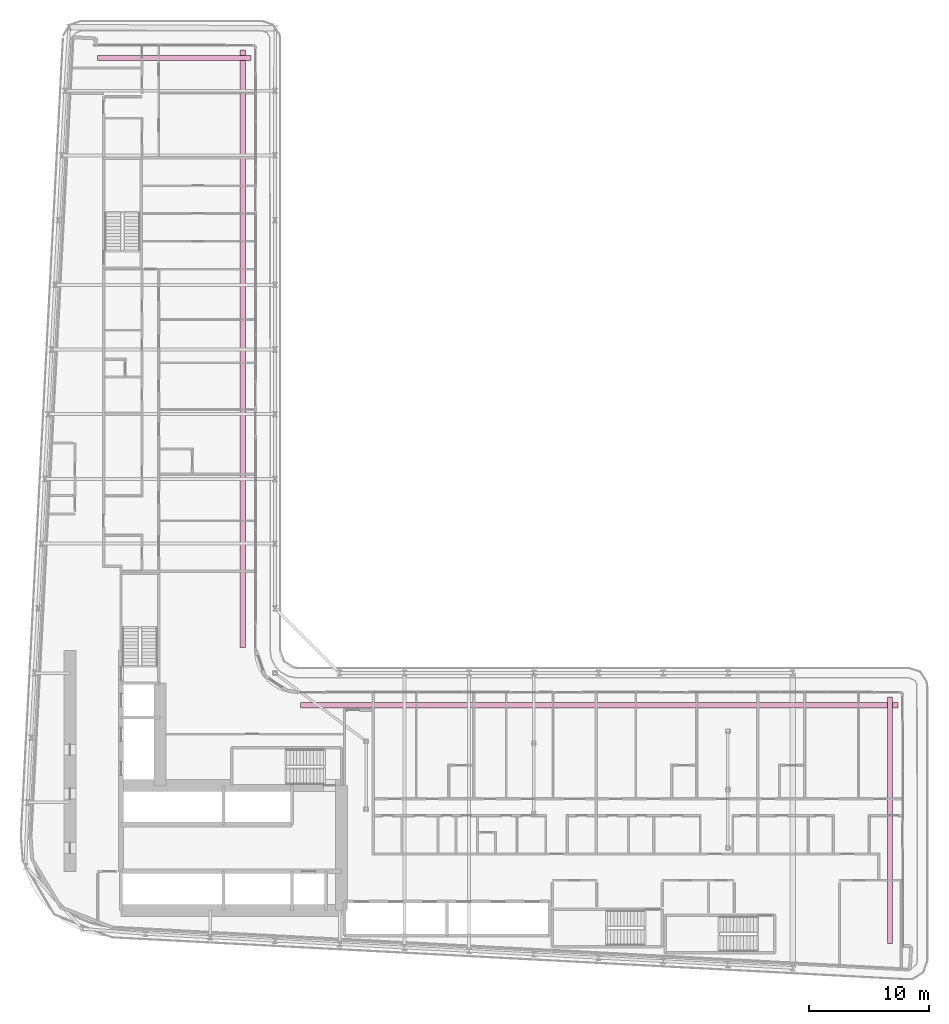
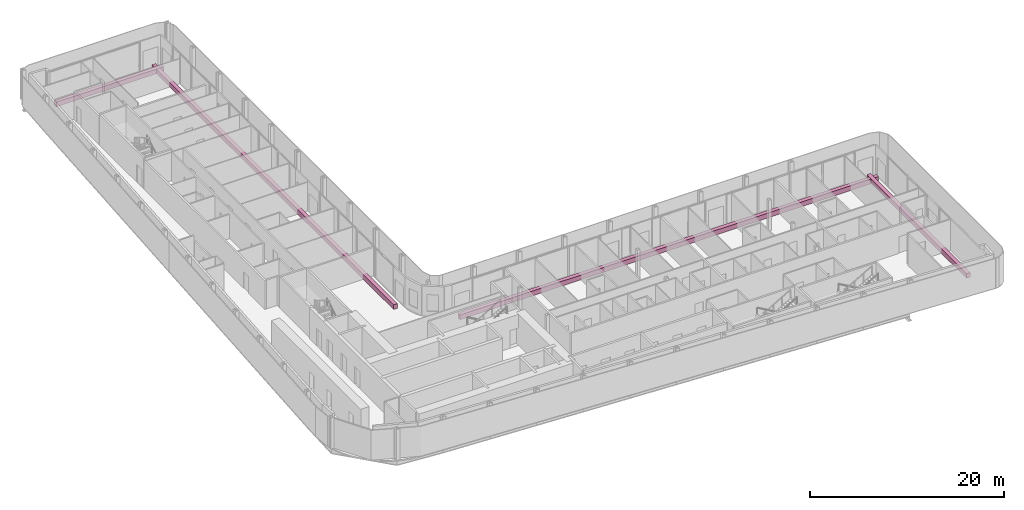
# One storey, part 29 of 29: 4 furniture elements.
"""IFC4 building model written with IfcOpenShell, lengths in metres."""

import ifcopenshell
import ifcopenshell.guid

model = None  # the IFC model being written
_history = None  # IfcOwnerHistory: only IFC2X3 demands one
_inside = {}  # id of a spatial element -> (the spatial element, [elements in it])
_under = {}  # id of a project, library or spatial element -> (it, [spatial elements below it])
_declared = {}  # id of a project -> (the project, [libraries it declares])
_typed = {}  # id of a type object -> (the type object, [elements of that type])
_made_of = {}  # id of a material, layer set ... -> (it, [elements and type objects made of it])


def new_model(schema):
    """Start an empty IFC model of exactly this schema.

    Asked for "IFC4X3", IfcOpenShell would pick the latest addendum, in which some entities
    have other attributes; the version numbers below select the first issue.
    IFC2X3 requires an IfcOwnerHistory on every rooted entity: one is made here for all.
    """
    global model, _history
    if schema == "IFC4X3":
        model = ifcopenshell.file(schema_version=(4, 3, 0, 0))
    else:
        model = ifcopenshell.file(schema=schema)
    _inside.clear()
    _under.clear()
    _declared.clear()
    _typed.clear()
    _made_of.clear()
    _history = None
    if model.schema == "IFC2X3":
        org = make("IfcOrganization", Name="unknown")
        user = make(
            "IfcPersonAndOrganization",
            ThePerson=make("IfcPerson", FamilyName="unknown"),
            TheOrganization=org,
        )
        app = make(
            "IfcApplication",
            ApplicationDeveloper=org,
            Version="unknown",
            ApplicationFullName="unknown",
            ApplicationIdentifier="unknown",
        )
        _history = make(
            "IfcOwnerHistory",
            OwningUser=user,
            OwningApplication=app,
            ChangeAction="ADDED",
            CreationDate=0,
        )
    return model


def make(cls, **values):
    """One entity of the class cls with the attributes given. An attribute that is None is left unset."""
    return model.create_entity(
        cls, **{name: value for name, value in values.items() if value is not None}
    )


def rooted(cls, **values):
    """An entity with a GlobalId (a new one), such as an element, a storey or a relation."""
    return make(cls, GlobalId=ifcopenshell.guid.new(), OwnerHistory=_history, **values)


def si_unit(unit_type, name, prefix=None):
    """IfcSIUnit, for example si_unit("LENGTHUNIT", "METRE", prefix="MILLI")."""
    return make("IfcSIUnit", UnitType=unit_type, Prefix=prefix, Name=name)


def assignment(units):
    """IfcUnitAssignment: the units of a project."""
    return None if units is None else make("IfcUnitAssignment", Units=units)


def point(xyz):
    """IfcCartesianPoint."""
    return None if xyz is None else make("IfcCartesianPoint", Coordinates=xyz)


def direction(xyz):
    """IfcDirection."""
    return None if xyz is None else make("IfcDirection", DirectionRatios=xyz)


def frame(location, z_axis=None, x_axis=None):
    """IfcAxis2Placement3D, a coordinate frame: its origin and axes. An axis left out is left unset."""
    return make(
        "IfcAxis2Placement3D",
        Location=point(location),
        Axis=direction(z_axis),
        RefDirection=direction(x_axis),
    )


def frame_2d(location, x_axis=None):
    """IfcAxis2Placement2D, a coordinate frame in the plane: its origin and x axis."""
    return make(
        "IfcAxis2Placement2D", Location=point(location), RefDirection=direction(x_axis)
    )


def origin():
    """The frame at (0, 0, 0) with its axes left unset."""
    return frame((0.0, 0.0, 0.0))


def origin_2d():
    """The frame at (0, 0) in the plane with its x axis left unset."""
    return frame_2d((0.0, 0.0))


def place(relative_to, where):
    """IfcLocalPlacement: puts the frame where relative to a parent placement (None: the world)."""
    return make(
        "IfcLocalPlacement", PlacementRelTo=relative_to, RelativePlacement=where
    )


def context(
    kind, dimensions, precision=None, world=None, true_north=None, identifier=None
):
    """IfcGeometricRepresentationContext, for example the 3D "Model" context."""
    return make(
        "IfcGeometricRepresentationContext",
        ContextIdentifier=identifier,
        ContextType=kind,
        CoordinateSpaceDimension=dimensions,
        Precision=precision,
        WorldCoordinateSystem=world,
        TrueNorth=true_north,
    )


def subcontext(parent, identifier, kind, view, scale=None):
    """IfcGeometricRepresentationSubContext, for example "Body" below "Model"."""
    return make(
        "IfcGeometricRepresentationSubContext",
        ContextIdentifier=identifier,
        ContextType=kind,
        ParentContext=parent,
        TargetScale=scale,
        TargetView=view,
    )


def project(units=None, contexts=None):
    """IfcProject with its units and contexts."""
    return rooted(
        "IfcProject",
        Name="project",
        RepresentationContexts=contexts,
        UnitsInContext=assignment(units),
    )


def spatial(cls, under=None, at=None, **own):
    """A site, building, storey or space (cls), placed at a placement, below another one or the project."""
    s = rooted(cls, ObjectPlacement=at, **own)
    if under is not None:
        _under.setdefault(under.id(), (under, []))[1].append(s)
    return s


def profile(cls, at=None, kind="AREA", **sizes):
    """A parametric profile (cls). Its sizes go by their IFC names, for example OverallWidth=200.0."""
    return make(cls, ProfileType=kind, Position=at, **sizes)


def rectangle(**sizes):
    """IfcRectangleProfileDef."""
    return profile("IfcRectangleProfileDef", **sizes)


def extrude(swept, where, along, depth):
    """IfcExtrudedAreaSolid: the profile swept, set in the frame where, extruded along a direction by depth."""
    return make(
        "IfcExtrudedAreaSolid",
        SweptArea=swept,
        Position=where,
        ExtrudedDirection=direction(along),
        Depth=depth,
    )


def shape(context_of_items, identifier, shape_type, items):
    """IfcShapeRepresentation: the items that make up one representation, for example the "Body"."""
    return make(
        "IfcShapeRepresentation",
        ContextOfItems=context_of_items,
        RepresentationIdentifier=identifier,
        RepresentationType=shape_type,
        Items=items,
    )


def material(Name=None, Category=None):
    """IfcMaterial."""
    return make("IfcMaterial", Name=Name, Category=Category)


def made_of(thing, what):
    """Note that an element or type object is made of a material, layer set ...; save() writes the relation."""
    if what is not None:
        _made_of.setdefault(what.id(), (what, []))[1].append(thing)
    return thing


def type_object(cls, material=None, **own):
    """A type object (cls), such as IfcWallType, which elements share."""
    return made_of(rooted(cls, **own), material)


def element(
    cls,
    number,
    at=None,
    inside=None,
    cuts=None,
    type_object=None,
    material=None,
    context=None,
    identifier="Body",
    shape_type=None,
    held_by="IfcProductDefinitionShape",
    body=None,
    shapes=None,
    **own,
):
    """One element of the class cls, such as IfcWall. Its Tag is "e" and its number.

    at: its placement. inside: the storey or other place that contains it. cuts: it is an
    opening in that element (IfcRelVoidsElement). A single representation is given by context,
    identifier, shape_type and body (its items); several are given by shapes. held_by: the class
    of the entity that holds the representations. save() writes the other relations.
    """
    e = rooted(cls, Tag="e%d" % number, ObjectPlacement=at, **own)
    if body is not None:
        shapes = [shape(context, identifier, shape_type, body)]
    if shapes is not None:
        e.Representation = make(held_by, Representations=shapes)
    if inside is not None:
        _inside.setdefault(inside.id(), (inside, []))[1].append(e)
    if cuts is not None:
        rooted(
            "IfcRelVoidsElement", RelatingBuildingElement=cuts, RelatedOpeningElement=e
        )
    if type_object is not None:
        _typed.setdefault(type_object.id(), (type_object, []))[1].append(e)
    return made_of(e, material)


def aggregate(whole, parts):
    """IfcRelAggregates: a whole, such as a stair, and the parts it consists of."""
    return rooted("IfcRelAggregates", RelatingObject=whole, RelatedObjects=parts)


def save(model, path):
    """Write the relations noted so far, then the file.

    IfcRelAggregates (storeys below a building ...), IfcRelContainedInSpatialStructure (elements
    in a storey), IfcRelDefinesByType, IfcRelAssociatesMaterial and IfcRelDeclares: one each for
    every whole, place, type object, material and project.
    """
    for whole, parts in _under.values():
        aggregate(whole, parts)
    for where, things in _inside.values():
        rooted(
            "IfcRelContainedInSpatialStructure",
            RelatedElements=things,
            RelatingStructure=where,
        )
    for kind, things in _typed.values():
        rooted("IfcRelDefinesByType", RelatedObjects=things, RelatingType=kind)
    for what, things in _made_of.values():
        rooted("IfcRelAssociatesMaterial", RelatedObjects=things, RelatingMaterial=what)
    for by, libraries in _declared.values():
        rooted("IfcRelDeclares", RelatingContext=by, RelatedDefinitions=libraries)
    model.write(path)


model = new_model("IFC4")

# Units and contexts
model_context = context("Model", 3, precision=1e-05, world=origin(), true_north=direction((0.0, 1.0)))
body_context = subcontext(model_context, "Body", "Model", "MODEL_VIEW")
ifc_project = project(units=[si_unit("LENGTHUNIT", "METRE"), si_unit("AREAUNIT", "SQUARE_METRE"), si_unit("VOLUMEUNIT", "CUBIC_METRE"), si_unit("PLANEANGLEUNIT", "RADIAN"), si_unit("MASSUNIT", "GRAM", prefix="KILO")], contexts=[model_context])

# Site, building, storey
site_placement = place(None, origin())
site = spatial("IfcSite", under=ifc_project, at=site_placement, CompositionType="ELEMENT")
building_placement = place(site_placement, origin())
building = spatial("IfcBuilding", under=site, at=building_placement, Name="Kheshtan School and Residences Tower", CompositionType="ELEMENT")
storey_placement = place(building_placement, frame((0.0, 0.0, 61.699951171875)))
storey = spatial("IfcBuildingStorey", under=building, at=storey_placement, Name="L14", CompositionType="ELEMENT", Elevation=61.699951171875)

# Furniture
ifc_material = material(Name="Precast concrete C30/37 in terracotta finish", Category="masonry")
furniture_type = type_object("IfcFurnitureType", Name="Planter trough", AssemblyPlace="NOTDEFINED", PredefinedType="USERDEFINED", material=ifc_material)
furniture_1_placement = place(storey_placement, frame((39.196044921875, 96.925048828125, 0.0), z_axis=(0.0, 0.0, 1.0), x_axis=(1.0, 0.0, 0.0)))
element("IfcFurniture", 1, at=furniture_1_placement, inside=storey, type_object=furniture_type, Name="Planter L14", ObjectType="PLANTER", PredefinedType="USERDEFINED", context=body_context, shape_type="SweptSolid", body=[
    extrude(rectangle(XDim=12.80810546875, YDim=0.449951171875, at=origin_2d()), origin(), (0.0, 0.0, 1.0), 0.60009765625),
])
for number, where, z_axis, x_axis, name in (
    (2, (44.925048828125, 72.6650390625, 0.0), (0.0, 0.0, 1.0), (0.0, -1.0, 0.0), "Planter L14"),
    (3, (74.6650390625, 42.925048828125, 0.0), (0.0, 0.0, 1.0), (1.0, 0.0, 0.0), "Planter L14"),
):
    element("IfcFurniture", number, at=place(storey_placement, frame(where, z_axis=z_axis, x_axis=x_axis)), inside=storey, type_object=furniture_type, Name=name, ObjectType="PLANTER", PredefinedType="USERDEFINED", context=body_context, shape_type="SweptSolid", body=[
        extrude(rectangle(XDim=49.8701171875, YDim=0.449951171875, at=origin_2d()), origin(), (0.0, 0.0, 1.0), 0.60009765625),
    ])
furniture_2_placement = place(storey_placement, frame((98.925048828125, 33.306884765625, 0.0), z_axis=(0.0, 0.0, 1.0), x_axis=(0.0, -1.0, 0.0)))
element("IfcFurniture", 4, at=furniture_2_placement, inside=storey, type_object=furniture_type, Name="Planter L14", ObjectType="PLANTER", PredefinedType="USERDEFINED", context=body_context, shape_type="SweptSolid", body=[
    extrude(rectangle(XDim=20.5859375, YDim=0.449951171875, at=origin_2d()), origin(), (0.0, 0.0, 1.0), 0.60009765625),
])

save(model, "model.ifc")
